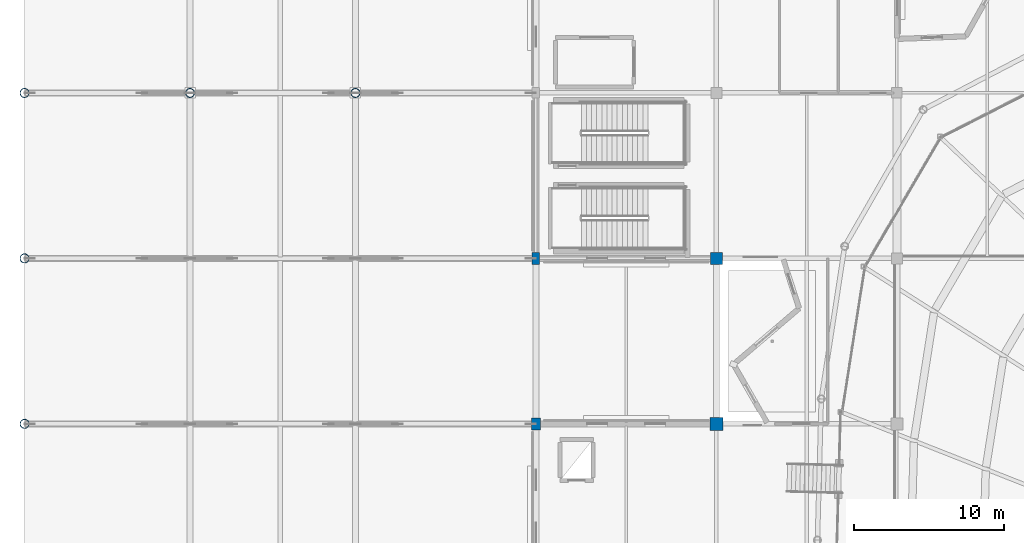
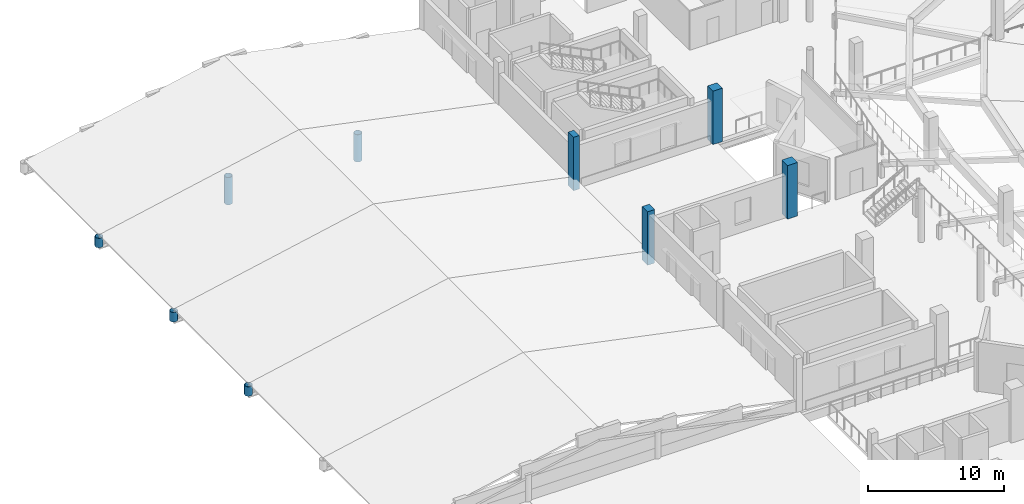
# One storey, part 7 of 77: 9 columns.
"""IFC4 building model written with IfcOpenShell, lengths in metres."""

from ifc_helpers import new_model, si_unit, direction, frame, origin, origin_2d, place, context, subcontext, project, spatial, rectangle, hollow_circle, extrude, material, material_profile, profile_set, type_object, element, save


model = new_model("IFC4")

# Units and contexts
model_context = context("Model", 3, precision=1e-05, world=origin(), true_north=direction((0.0, 1.0)))
body_context = subcontext(model_context, "Body", "Model", "MODEL_VIEW")
ifc_project = project(units=[si_unit("LENGTHUNIT", "METRE"), si_unit("AREAUNIT", "SQUARE_METRE"), si_unit("VOLUMEUNIT", "CUBIC_METRE"), si_unit("PLANEANGLEUNIT", "RADIAN"), si_unit("MASSUNIT", "GRAM", prefix="KILO")], contexts=[model_context])

# Site, building, storey
site_placement = place(None, origin())
site = spatial("IfcSite", under=ifc_project, at=site_placement, CompositionType="ELEMENT")
building_placement = place(site_placement, origin())
building = spatial("IfcBuilding", under=site, at=building_placement, Name="Luwafu Chhajja Arena", CompositionType="ELEMENT")
storey_placement = place(building_placement, frame((0.0, 0.0, 14.699951171875)))
storey = spatial("IfcBuildingStorey", under=building, at=storey_placement, Name="L03", CompositionType="ELEMENT", Elevation=14.699951171875)

# Columns
ifc_material_1 = material(Name="Concrete C35/45", Category="concrete")
ifc_material_profile_1 = material_profile(ifc_material_1, rectangle(XDim=0.5, YDim=0.800048828125, at=origin_2d()), Name="RC 500x800")
ifc_profile_set_1 = profile_set([ifc_material_profile_1], Name="Concrete C35/45")
column_type_1 = type_object("IfcColumnType", Name="BOH Frame Column RC 500x800", PredefinedType="COLUMN", material=ifc_profile_set_1)
column_1_placement = place(storey_placement, frame((34.0, 77.0, 0.0), z_axis=(0.0, 0.0, 1.0), x_axis=(1.0, 0.0, 0.0)))
element("IfcColumn", 1, at=column_1_placement, inside=storey, type_object=column_type_1, Name="L03 Grid Column 4/H", PredefinedType="COLUMN", context=body_context, shape_type="SweptSolid", body=[
    extrude(rectangle(XDim=0.5, YDim=0.800048828125, at=origin_2d()), origin(), (0.0, 0.0, 1.0), 4.800048828125),
])
ifc_material_profile_2 = material_profile(ifc_material_1, rectangle(XDim=0.85009765625, YDim=0.85009765625, at=origin_2d()), Name="RC 850x850")
ifc_profile_set_2 = profile_set([ifc_material_profile_2], Name="Concrete C35/45")
column_type_2 = type_object("IfcColumnType", Name="Concourse Heavy Column RC 850", PredefinedType="COLUMN", material=ifc_profile_set_2)
column_2_placement = place(storey_placement, frame((46.0, 66.0, 0.0), z_axis=(0.0, 0.0, 1.0), x_axis=(1.0, 0.0, 0.0)))
element("IfcColumn", 2, at=column_2_placement, inside=storey, type_object=column_type_2, Name="L03 Grid Column 5/G", PredefinedType="COLUMN", context=body_context, shape_type="SweptSolid", body=[
    extrude(rectangle(XDim=0.85009765625, YDim=0.85009765625, at=origin_2d()), origin(), (0.0, 0.0, 1.0), 4.800048828125),
])
ifc_material_profile_3 = material_profile(ifc_material_1, rectangle(XDim=0.800048828125, YDim=0.800048828125, at=origin_2d()), Name="RC 800x800")
ifc_profile_set_3 = profile_set([ifc_material_profile_3], Name="Concrete C35/45")
column_type_3 = type_object("IfcColumnType", Name="Concourse Standard Column RC 800", PredefinedType="COLUMN", material=ifc_profile_set_3)
column_3_placement = place(storey_placement, frame((46.0, 77.0, 0.0), z_axis=(0.0, 0.0, 1.0), x_axis=(1.0, 0.0, 0.0)))
element("IfcColumn", 3, at=column_3_placement, inside=storey, type_object=column_type_3, Name="L03 Grid Column 5/H", PredefinedType="COLUMN", context=body_context, shape_type="SweptSolid", body=[
    extrude(rectangle(XDim=0.800048828125, YDim=0.800048828125, at=origin_2d()), origin(), (0.0, 0.0, 1.0), 4.800048828125),
])
ifc_material_2 = material(Name="Concrete C40/50", Category="concrete")
ifc_material_profile_4 = material_profile(ifc_material_2, rectangle(XDim=0.60009765625, YDim=0.800048828125, at=origin_2d()), Name="RC 600x800")
ifc_profile_set_4 = profile_set([ifc_material_profile_4], Name="Concrete C40/50")
column_type_4 = type_object("IfcColumnType", Name="Pishtaq Pier Column RC 600x800", PredefinedType="COLUMN", material=ifc_profile_set_4)
column_4_placement = place(storey_placement, frame((34.0, 66.0, 0.0), z_axis=(0.0, 0.0, 1.0), x_axis=(1.0, 0.0, 0.0)))
element("IfcColumn", 4, at=column_4_placement, inside=storey, type_object=column_type_4, Name="L03 Grid Column 4/G", PredefinedType="COLUMN", context=body_context, shape_type="SweptSolid", body=[
    extrude(rectangle(XDim=0.60009765625, YDim=0.800048828125, at=origin_2d()), origin(), (0.0, 0.0, 1.0), 4.800048828125),
])
ifc_material_3 = material(Name="Steel S355", Category="steel")
ifc_material_profile_5 = material_profile(ifc_material_3, hollow_circle(Radius=0.304931640625, WallThickness=0.02490234375, at=origin_2d()), Name="CHS 610x25")
ifc_profile_set_5 = profile_set([ifc_material_profile_5], Name="Steel S355")
column_type_5 = type_object("IfcColumnType", Name="Steel Bowl Drum Column CHS 610", PredefinedType="COLUMN", material=ifc_profile_set_5)
for number, where, z_axis, x_axis, name in (
    (5, (0.0, 66.0, 0.0), (0.0, 0.0, 1.0), (1.0, 0.0, 0.0), "Warm-Up Truss 03 West Pedestal"),
    (6, (0.0, 77.0, 0.0), (0.0, 0.0, 1.0), (1.0, 0.0, 0.0), "Warm-Up Truss 04 West Pedestal"),
    (7, (0.0, 88.0, 0.0), (0.0, 0.0, 1.0), (1.0, 0.0, 0.0), "Warm-Up Truss 05 West Pedestal"),
):
    element("IfcColumn", number, at=place(storey_placement, frame(where, z_axis=z_axis, x_axis=x_axis)), inside=storey, type_object=column_type_5, Name=name, PredefinedType="COLUMN", context=body_context, shape_type="SweptSolid", body=[
        extrude(hollow_circle(Radius=0.304931640625, WallThickness=0.02490234375, at=origin_2d()), origin(), (0.0, 0.0, 1.0), 0.85009765625),
    ])
for number, where, z_axis, x_axis, name in (
    (8, (11.0, 88.0, 0.0), (0.0, 0.0, 1.0), (1.0, 0.0, 0.0), "Warm-Up Gable Spine Column 2/J"),
    (9, (22.0, 88.0, 0.0), (0.0, 0.0, 1.0), (1.0, 0.0, 0.0), "Warm-Up Gable Spine Column 3/J"),
):
    element("IfcColumn", number, at=place(storey_placement, frame(where, z_axis=z_axis, x_axis=x_axis)), inside=storey, type_object=column_type_5, Name=name, PredefinedType="COLUMN", context=body_context, shape_type="SweptSolid", body=[
        extrude(hollow_circle(Radius=0.304931640625, WallThickness=0.02490234375, at=origin_2d()), origin(), (0.0, 0.0, 1.0), 2.449951171875),
    ])

save(model, "model.ifc")
